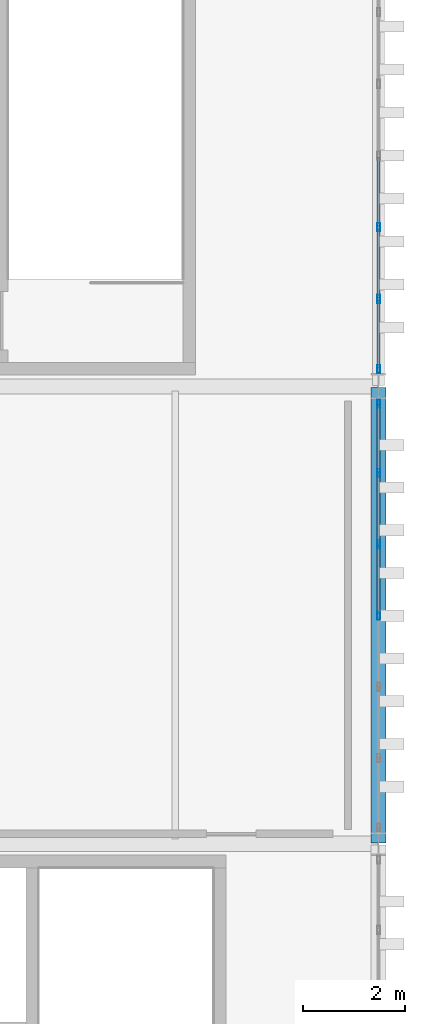
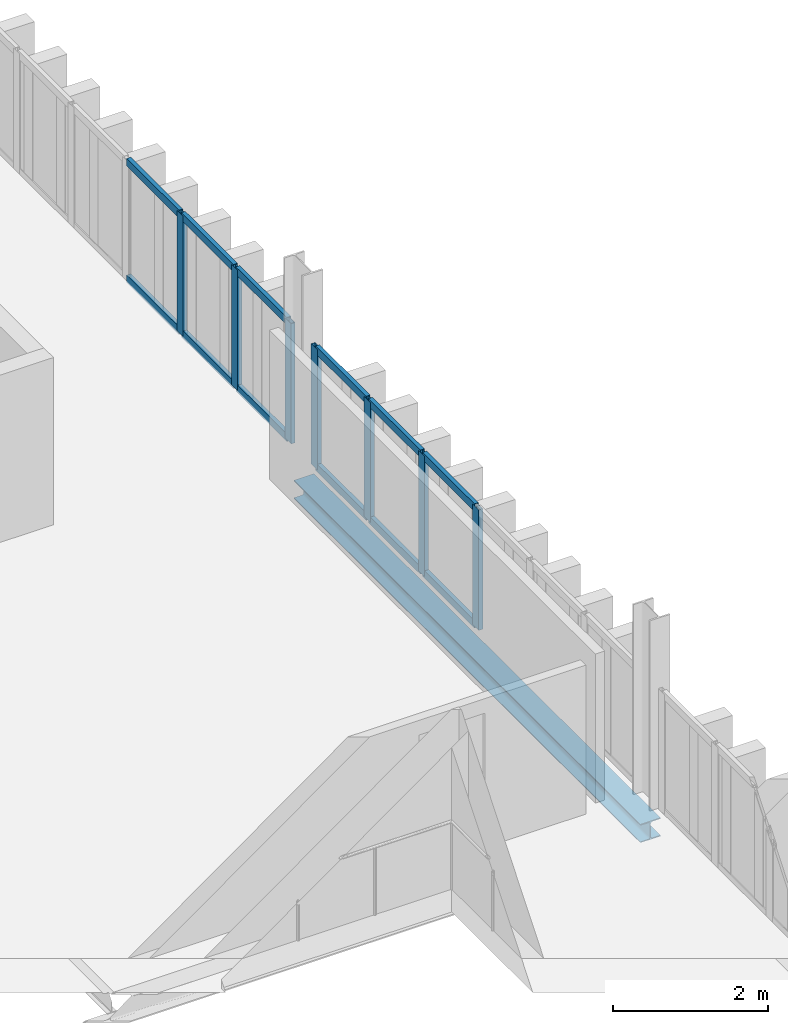
# One storey, part 23 of 58: 19 members, 1 beam, 2 elements without a shape of their own.
"""IFC4 building model written with IfcOpenShell, lengths in metres."""

from ifc_helpers import new_model, si_unit, direction, frame, origin, origin_2d, place, context, subcontext, project, spatial, hollow_rectangle, i_section, extrude, material, layer, layer_set, material_profile, profile_set, type_object, element, aggregate, save


model = new_model("IFC4")

# Units and contexts
model_context = context("Model", 3, precision=1e-05, world=origin(), true_north=direction((0.0, 1.0)))
body_context = subcontext(model_context, "Body", "Model", "MODEL_VIEW")
ifc_project = project(units=[si_unit("LENGTHUNIT", "METRE"), si_unit("AREAUNIT", "SQUARE_METRE"), si_unit("VOLUMEUNIT", "CUBIC_METRE"), si_unit("PLANEANGLEUNIT", "RADIAN"), si_unit("MASSUNIT", "GRAM", prefix="KILO")], contexts=[model_context])

# Site, building, storey
site_placement = place(None, origin())
site = spatial("IfcSite", under=ifc_project, at=site_placement, CompositionType="ELEMENT")
building_placement = place(site_placement, origin())
building = spatial("IfcBuilding", under=site, at=building_placement, Name="Barlavento Convention Centre", CompositionType="ELEMENT")
storey_placement = place(building_placement, frame((0.0, 0.0, 26.800048828125)))
storey = spatial("IfcBuildingStorey", under=building, at=storey_placement, Name="L05", CompositionType="ELEMENT", Elevation=26.800048828125)

# Curtain wall, members
ifc_material_1 = material(Name="Powder-coated aluminium and Low-E glass", Category="aluminium")
ifc_layer = layer(ifc_material_1, 0.18994140625)
ifc_layer_set = layer_set([ifc_layer], Name="ARC-CW-CONF-L05")
curtain_wall_type = type_object("IfcCurtainWallType", Name="ARC-CW-CONF-L05", PredefinedType="NOTDEFINED", material=ifc_layer_set)
curtain_wall_1_placement = place(storey_placement, origin())
curtain_wall_1 = element("IfcCurtainWall", 1, at=curtain_wall_1_placement, inside=storey, type_object=curtain_wall_type, Name="L05 unitised curtain wall CW10", PredefinedType="NOTDEFINED")
ifc_material_2 = material(Name="Powder-coated aluminium", Category="aluminium")
ifc_material_profile_1 = material_profile(ifc_material_2, hollow_rectangle(XDim=0.06005859375, YDim=0.159912109375, WallThickness=0.00390625, at=origin_2d()), Name="AL-MULL 60x160x4")
ifc_profile_set_1 = profile_set([ifc_material_profile_1], Name="Powder-coated aluminium")
member_type_1 = type_object("IfcMemberType", Name="ARC-CWM-60X160", PredefinedType="MULLION", material=ifc_profile_set_1)
member_1_placement = place(storey_placement, frame((192.0, 49.487548828125, 0.0), z_axis=(0.0, 0.0, 1.0), x_axis=(-1.0, 0.0, 0.0)))
member_1 = element("IfcMember", 2, at=member_1_placement, type_object=member_type_1, Name="CW10 mullion 4", PredefinedType="MULLION", context=body_context, shape_type="SweptSolid", body=[
    extrude(hollow_rectangle(XDim=0.06005859375, YDim=0.159912109375, WallThickness=0.00390625, at=origin_2d()), origin(), (0.0, 0.0, 1.0), 1.89990234375),
])
member_2_placement = place(storey_placement, frame((192.0, 50.888427734375, 0.0), z_axis=(0.0, 0.0, 1.0), x_axis=(-1.0, 0.0, 0.0)))
member_2 = element("IfcMember", 3, at=member_2_placement, type_object=member_type_1, Name="CW10 mullion 5", PredefinedType="MULLION", context=body_context, shape_type="SweptSolid", body=[
    extrude(hollow_rectangle(XDim=0.06005859375, YDim=0.159912109375, WallThickness=0.00390625, at=origin_2d()), origin(), (0.0, 0.0, 1.0), 1.89990234375),
])
member_3_placement = place(storey_placement, frame((192.0, 52.2890625, 0.0), z_axis=(0.0, 0.0, 1.0), x_axis=(-1.0, 0.0, 0.0)))
member_3 = element("IfcMember", 4, at=member_3_placement, type_object=member_type_1, Name="CW10 mullion 6", PredefinedType="MULLION", context=body_context, shape_type="SweptSolid", body=[
    extrude(hollow_rectangle(XDim=0.06005859375, YDim=0.159912109375, WallThickness=0.00390625, at=origin_2d()), origin(), (0.0, 0.0, 1.0), 1.89990234375),
])
member_4_placement = place(storey_placement, frame((192.0, 53.659912109375, 0.0), z_axis=(0.0, 0.0, 1.0), x_axis=(-1.0, 0.0, 0.0)))
member_4 = element("IfcMember", 5, at=member_4_placement, type_object=member_type_1, Name="CW10 mullion 7", PredefinedType="MULLION", context=body_context, shape_type="SweptSolid", body=[
    extrude(hollow_rectangle(XDim=0.06005859375, YDim=0.159912109375, WallThickness=0.00390625, at=origin_2d()), origin(), (0.0, 0.0, 1.0), 1.89990234375),
])

curtain_wall_2_placement = place(storey_placement, origin())
curtain_wall_2 = element("IfcCurtainWall", 6, at=curtain_wall_2_placement, inside=storey, type_object=curtain_wall_type, Name="L05 unitised curtain wall CW10", PredefinedType="NOTDEFINED")
member_5_placement = place(storey_placement, frame((192.0, 54.340087890625, 0.0), z_axis=(0.0, 0.0, 1.0), x_axis=(-1.0, 0.0, 0.0)))
member_5 = element("IfcMember", 7, at=member_5_placement, type_object=member_type_1, Name="CW10 mullion 1", PredefinedType="MULLION", context=body_context, shape_type="SweptSolid", body=[
    extrude(hollow_rectangle(XDim=0.06005859375, YDim=0.159912109375, WallThickness=0.00390625, at=origin_2d()), origin(), (0.0, 0.0, 1.0), 1.89990234375),
])
member_6_placement = place(storey_placement, frame((192.0, 55.719970703125, 0.0), z_axis=(0.0, 0.0, 1.0), x_axis=(-1.0, 0.0, 0.0)))
member_6 = element("IfcMember", 8, at=member_6_placement, type_object=member_type_1, Name="CW10 mullion 2", PredefinedType="MULLION", context=body_context, shape_type="SweptSolid", body=[
    extrude(hollow_rectangle(XDim=0.06005859375, YDim=0.159912109375, WallThickness=0.00390625, at=origin_2d()), origin(), (0.0, 0.0, 1.0), 1.89990234375),
])
member_7_placement = place(storey_placement, frame((192.0, 57.1298828125, 0.0), z_axis=(0.0, 0.0, 1.0), x_axis=(-1.0, 0.0, 0.0)))
member_7 = element("IfcMember", 9, at=member_7_placement, type_object=member_type_1, Name="CW10 mullion 3", PredefinedType="MULLION", context=body_context, shape_type="SweptSolid", body=[
    extrude(hollow_rectangle(XDim=0.06005859375, YDim=0.159912109375, WallThickness=0.00390625, at=origin_2d()), origin(), (0.0, 0.0, 1.0), 1.89990234375),
])

# Member
ifc_material_profile_2 = material_profile(ifc_material_2, hollow_rectangle(XDim=0.06005859375, YDim=0.1201171875, WallThickness=0.00390625, at=origin_2d()), Name="AL-TRAN 60x120x4")
ifc_profile_set_2 = profile_set([ifc_material_profile_2], Name="Powder-coated aluminium")
member_type_2 = type_object("IfcMemberType", Name="ARC-CWT-60X120", PredefinedType="USERDEFINED", material=ifc_profile_set_2)
member_8_placement = place(storey_placement, frame((192.0, 49.517578125, 0.030029296875), z_axis=(0.0, 1.0, 0.0), x_axis=(-1.0, 0.0, 0.0)))
member_8 = element("IfcMember", 10, at=member_8_placement, type_object=member_type_2, Name="CW10 transom 4.1", ObjectType="TRANSOM", PredefinedType="USERDEFINED", context=body_context, shape_type="SweptSolid", body=[
    extrude(hollow_rectangle(XDim=0.06005859375, YDim=0.1201171875, WallThickness=0.00390625, at=origin_2d()), origin(), (0.0, 0.0, 1.0), 1.3408203125),
])

member_9_placement = place(storey_placement, frame((192.0, 49.517578125, 1.869873046875), z_axis=(0.0, 1.0, 0.0), x_axis=(-1.0, 0.0, 0.0)))
member_9 = element("IfcMember", 11, at=member_9_placement, type_object=member_type_2, Name="CW10 transom 4.2", ObjectType="TRANSOM", PredefinedType="USERDEFINED", context=body_context, shape_type="SweptSolid", body=[
    extrude(hollow_rectangle(XDim=0.06005859375, YDim=0.1201171875, WallThickness=0.00390625, at=origin_2d()), origin(), (0.0, 0.0, 1.0), 1.3408203125),
])

member_10_placement = place(storey_placement, frame((192.0, 50.918212890625, 0.030029296875), z_axis=(0.0, 1.0, 0.0), x_axis=(-1.0, 0.0, 0.0)))
member_10 = element("IfcMember", 12, at=member_10_placement, type_object=member_type_2, Name="CW10 transom 5.1", ObjectType="TRANSOM", PredefinedType="USERDEFINED", context=body_context, shape_type="SweptSolid", body=[
    extrude(hollow_rectangle(XDim=0.06005859375, YDim=0.1201171875, WallThickness=0.00390625, at=origin_2d()), origin(), (0.0, 0.0, 1.0), 1.341064453125),
])

member_11_placement = place(storey_placement, frame((192.0, 50.918212890625, 1.869873046875), z_axis=(0.0, 1.0, 0.0), x_axis=(-1.0, 0.0, 0.0)))
member_11 = element("IfcMember", 13, at=member_11_placement, type_object=member_type_2, Name="CW10 transom 5.2", ObjectType="TRANSOM", PredefinedType="USERDEFINED", context=body_context, shape_type="SweptSolid", body=[
    extrude(hollow_rectangle(XDim=0.06005859375, YDim=0.1201171875, WallThickness=0.00390625, at=origin_2d()), origin(), (0.0, 0.0, 1.0), 1.341064453125),
])

member_12_placement = place(storey_placement, frame((192.0, 52.319091796875, 0.030029296875), z_axis=(0.0, 1.0, 0.0), x_axis=(-1.0, 0.0, 0.0)))
member_12 = element("IfcMember", 14, at=member_12_placement, type_object=member_type_2, Name="CW10 transom 6.1", ObjectType="TRANSOM", PredefinedType="USERDEFINED", context=body_context, shape_type="SweptSolid", body=[
    extrude(hollow_rectangle(XDim=0.06005859375, YDim=0.1201171875, WallThickness=0.00390625, at=origin_2d()), origin(), (0.0, 0.0, 1.0), 1.310791015625),
])

member_13_placement = place(storey_placement, frame((192.0, 52.319091796875, 1.869873046875), z_axis=(0.0, 1.0, 0.0), x_axis=(-1.0, 0.0, 0.0)))
member_13 = element("IfcMember", 15, at=member_13_placement, type_object=member_type_2, Name="CW10 transom 6.2", ObjectType="TRANSOM", PredefinedType="USERDEFINED", context=body_context, shape_type="SweptSolid", body=[
    extrude(hollow_rectangle(XDim=0.06005859375, YDim=0.1201171875, WallThickness=0.00390625, at=origin_2d()), origin(), (0.0, 0.0, 1.0), 1.310791015625),
])

aggregate(curtain_wall_1, [member_1, member_2, member_3, member_4, member_8, member_9, member_10, member_11, member_12, member_13])

member_14_placement = place(storey_placement, frame((192.0, 54.3701171875, 0.030029296875), z_axis=(0.0, 1.0, 0.0), x_axis=(-1.0, 0.0, 0.0)))
member_14 = element("IfcMember", 16, at=member_14_placement, type_object=member_type_2, Name="CW10 transom 1.1", ObjectType="TRANSOM", PredefinedType="USERDEFINED", context=body_context, shape_type="SweptSolid", body=[
    extrude(hollow_rectangle(XDim=0.06005859375, YDim=0.1201171875, WallThickness=0.00390625, at=origin_2d()), origin(), (0.0, 0.0, 1.0), 1.31982421875),
])

member_15_placement = place(storey_placement, frame((192.0, 54.3701171875, 1.869873046875), z_axis=(0.0, 1.0, 0.0), x_axis=(-1.0, 0.0, 0.0)))
member_15 = element("IfcMember", 17, at=member_15_placement, type_object=member_type_2, Name="CW10 transom 1.2", ObjectType="TRANSOM", PredefinedType="USERDEFINED", context=body_context, shape_type="SweptSolid", body=[
    extrude(hollow_rectangle(XDim=0.06005859375, YDim=0.1201171875, WallThickness=0.00390625, at=origin_2d()), origin(), (0.0, 0.0, 1.0), 1.31982421875),
])

member_16_placement = place(storey_placement, frame((192.0, 55.75, 0.030029296875), z_axis=(0.0, 1.0, 0.0), x_axis=(-1.0, 0.0, 0.0)))
member_16 = element("IfcMember", 18, at=member_16_placement, type_object=member_type_2, Name="CW10 transom 2.1", ObjectType="TRANSOM", PredefinedType="USERDEFINED", context=body_context, shape_type="SweptSolid", body=[
    extrude(hollow_rectangle(XDim=0.06005859375, YDim=0.1201171875, WallThickness=0.00390625, at=origin_2d()), origin(), (0.0, 0.0, 1.0), 1.35009765625),
])

member_17_placement = place(storey_placement, frame((192.0, 55.75, 1.869873046875), z_axis=(0.0, 1.0, 0.0), x_axis=(-1.0, 0.0, 0.0)))
member_17 = element("IfcMember", 19, at=member_17_placement, type_object=member_type_2, Name="CW10 transom 2.2", ObjectType="TRANSOM", PredefinedType="USERDEFINED", context=body_context, shape_type="SweptSolid", body=[
    extrude(hollow_rectangle(XDim=0.06005859375, YDim=0.1201171875, WallThickness=0.00390625, at=origin_2d()), origin(), (0.0, 0.0, 1.0), 1.35009765625),
])

member_18_placement = place(storey_placement, frame((192.0, 57.159912109375, 0.030029296875), z_axis=(0.0, 1.0, 0.0), x_axis=(-1.0, 0.0, 0.0)))
member_18 = element("IfcMember", 20, at=member_18_placement, type_object=member_type_2, Name="CW10 transom 3.1", ObjectType="TRANSOM", PredefinedType="USERDEFINED", context=body_context, shape_type="SweptSolid", body=[
    extrude(hollow_rectangle(XDim=0.06005859375, YDim=0.1201171875, WallThickness=0.00390625, at=origin_2d()), origin(), (0.0, 0.0, 1.0), 1.35009765625),
])

member_19_placement = place(storey_placement, frame((192.0, 57.159912109375, 1.869873046875), z_axis=(0.0, 1.0, 0.0), x_axis=(-1.0, 0.0, 0.0)))
member_19 = element("IfcMember", 21, at=member_19_placement, type_object=member_type_2, Name="CW10 transom 3.2", ObjectType="TRANSOM", PredefinedType="USERDEFINED", context=body_context, shape_type="SweptSolid", body=[
    extrude(hollow_rectangle(XDim=0.06005859375, YDim=0.1201171875, WallThickness=0.00390625, at=origin_2d()), origin(), (0.0, 0.0, 1.0), 1.35009765625),
])

aggregate(curtain_wall_2, [member_5, member_6, member_7, member_14, member_15, member_16, member_17, member_18, member_19])

# Beam
ifc_material_3 = material(Name="Steel S355", Category="steel")
ifc_material_profile_3 = material_profile(ifc_material_3, i_section(OverallWidth=0.300048828125, OverallDepth=0.2900390625, WebThickness=0.008544921875, FlangeThickness=0.013916015625, FilletRadius=0.027099609375, at=origin_2d()), Name="HEA 300")
ifc_profile_set_3 = profile_set([ifc_material_profile_3], Name="Steel S355")
beam_type = type_object("IfcBeamType", Name="STR-BM-SPN-HEA300", PredefinedType="SPANDREL", material=ifc_profile_set_3)
beam_placement = place(storey_placement, frame((192.0, 45.02001953125, -0.505126953125), z_axis=(0.0, 1.0, 0.0), x_axis=(-1.0, 0.0, 0.0)))
element("IfcBeam", 22, at=beam_placement, inside=storey, type_object=beam_type, Name="L05 grid girder SP02", PredefinedType="SPANDREL", context=body_context, shape_type="SweptSolid", body=[
    extrude(i_section(OverallWidth=0.300048828125, OverallDepth=0.2900390625, WebThickness=0.008544921875, FlangeThickness=0.013916015625, FilletRadius=0.027099609375, at=origin_2d()), origin(), (0.0, 0.0, 1.0), 8.9599609375),
])

save(model, "model.ifc")
